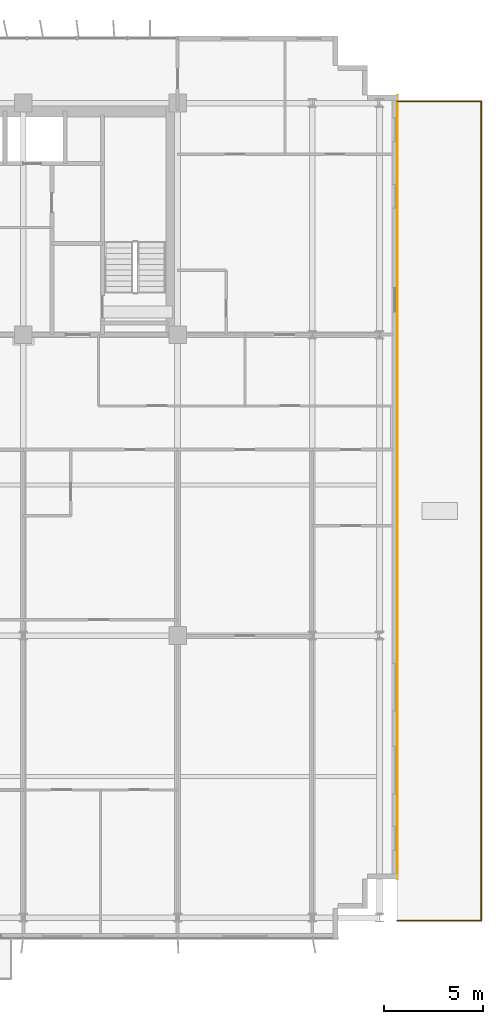
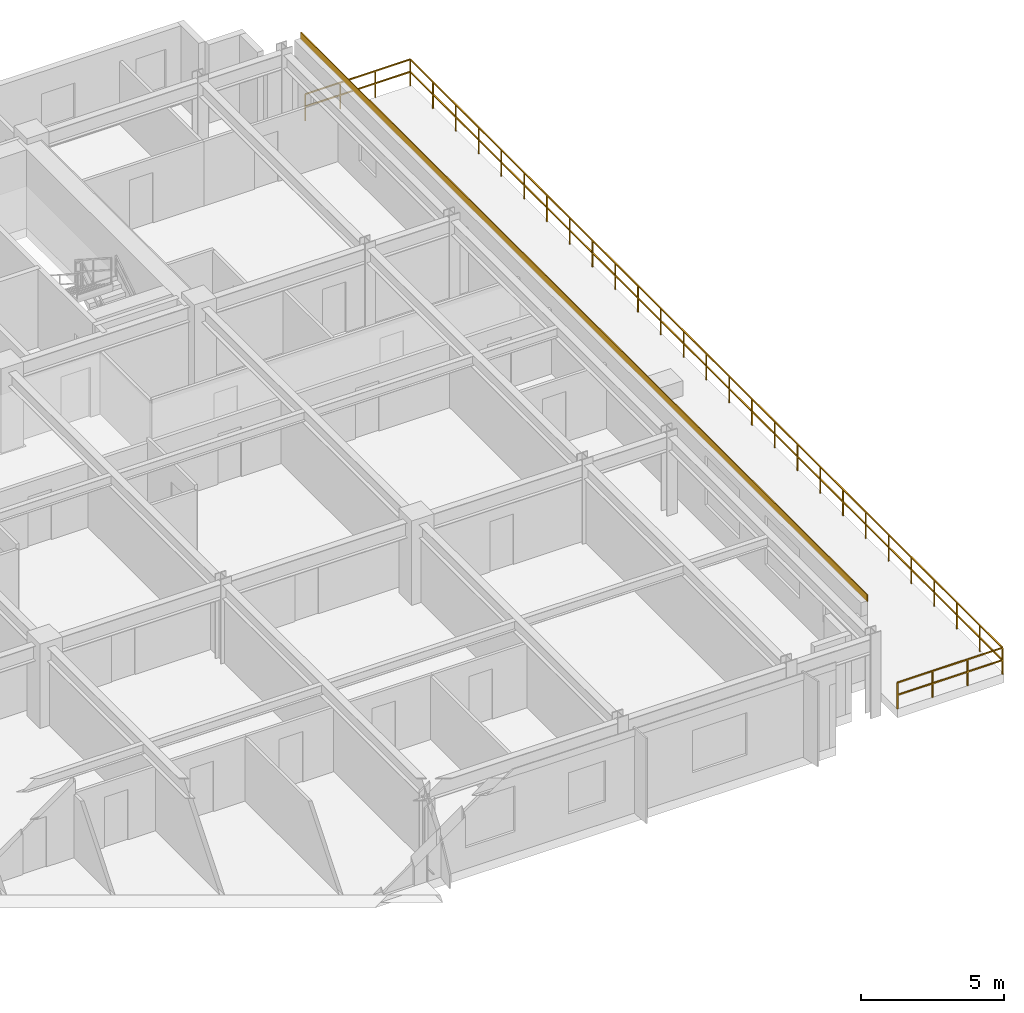
# One storey, part 26 of 26: 3 railings, 1 covering.
"""IFC4 building model written with IfcOpenShell, lengths in metres."""

from ifc_helpers import new_model, si_unit, direction, frame, origin, origin_2d, place, context, subcontext, project, spatial, rectangle, extrude, source, transform, mapped, material, layer, layer_set, type_object, element, save


model = new_model("IFC4")

# Units and contexts
model_context = context("Model", 3, precision=1e-05, world=origin(), true_north=direction((0.0, 1.0)))
body_context = subcontext(model_context, "Body", "Model", "MODEL_VIEW")
ifc_project = project(units=[si_unit("LENGTHUNIT", "METRE"), si_unit("AREAUNIT", "SQUARE_METRE"), si_unit("VOLUMEUNIT", "CUBIC_METRE"), si_unit("PLANEANGLEUNIT", "RADIAN"), si_unit("MASSUNIT", "GRAM", prefix="KILO")], contexts=[model_context])

# Site, building, storey
site_placement = place(None, origin())
site = spatial("IfcSite", under=ifc_project, at=site_placement, CompositionType="ELEMENT")
building_placement = place(site_placement, origin())
building = spatial("IfcBuilding", under=site, at=building_placement, Name="Trelvane Seafront Commons", CompositionType="ELEMENT")
storey_placement = place(building_placement, frame((0.0, 0.0, 23.5)))
storey = spatial("IfcBuildingStorey", under=building, at=storey_placement, Name="L05", CompositionType="ELEMENT", Elevation=23.5)

# Railings
ifc_material_1 = material(Name="Stainless steel balustrade", Category="steel")
railing_type = type_object("IfcRailingType", Name="ARCH-RAIL-BAL1150", PredefinedType="BALUSTRADE", material=ifc_material_1)
railing_1_placement = place(storey_placement, frame((69.89990234375, 3.800048828125, 0.0)))
element("IfcRailing", 1, at=railing_1_placement, inside=storey, type_object=railing_type, Name="RL-L05-TR1-01", PredefinedType="BALUSTRADE", context=body_context, shape_type="SweptSolid", body=[
    extrude(rectangle(XDim=0.048095703125, YDim=0.048095703125, at=origin_2d()), frame((0.0, 0.0, 1.1259765625), z_axis=(1.0, 0.0, 0.0), x_axis=(0.0, 1.0, 0.0)), (0.0, 0.0, 1.0), 4.239990234375),
    extrude(rectangle(XDim=0.048095703125, YDim=0.048095703125, at=origin_2d()), frame((0.0, 0.0, 0.597900390625), z_axis=(1.0, 0.0, 0.0), x_axis=(0.0, 1.0, 0.0)), (0.0, 0.0, 1.0), 4.239990234375),
    extrude(rectangle(XDim=0.0419921875, YDim=0.0419921875, at=origin_2d()), origin(), (0.0, 0.0, 1.0), 1.1259765625),
    extrude(rectangle(XDim=0.0419921875, YDim=0.0419921875, at=origin_2d()), frame((1.413330078125, 0.0, 0.0)), (0.0, 0.0, 1.0), 1.1259765625),
    extrude(rectangle(XDim=0.0419921875, YDim=0.0419921875, at=origin_2d()), frame((2.82666015625, 0.0, 0.0)), (0.0, 0.0, 1.0), 1.1259765625),
    extrude(rectangle(XDim=0.0419921875, YDim=0.0419921875, at=origin_2d()), frame((4.239990234375, 0.0, 0.0)), (0.0, 0.0, 1.0), 1.1259765625),
])
railing_2_placement = place(storey_placement, frame((74.139892578125, 3.800048828125, 0.0)))
element("IfcRailing", 2, at=railing_2_placement, inside=storey, type_object=railing_type, Name="RL-L05-TR1-02", PredefinedType="BALUSTRADE", context=body_context, shape_type="SweptSolid", body=[
    extrude(rectangle(XDim=0.048095703125, YDim=0.048095703125, at=origin_2d()), frame((0.0, 0.0, 1.1259765625), z_axis=(0.0, 1.0, 0.0), x_axis=(-1.0, 0.0, 0.0)), (0.0, 0.0, 1.0), 41.39990234375),
    extrude(rectangle(XDim=0.048095703125, YDim=0.048095703125, at=origin_2d()), frame((0.0, 0.0, 0.597900390625), z_axis=(0.0, 1.0, 0.0), x_axis=(-1.0, 0.0, 0.0)), (0.0, 0.0, 1.0), 41.39990234375),
    extrude(rectangle(XDim=0.0419921875, YDim=0.0419921875, at=origin_2d()), origin(), (0.0, 0.0, 1.0), 1.1259765625),
    extrude(rectangle(XDim=0.0419921875, YDim=0.0419921875, at=origin_2d()), frame((0.0, 1.59228515625, 0.0)), (0.0, 0.0, 1.0), 1.1259765625),
    extrude(rectangle(XDim=0.0419921875, YDim=0.0419921875, at=origin_2d()), frame((0.0, 3.1845703125, 0.0)), (0.0, 0.0, 1.0), 1.1259765625),
    extrude(rectangle(XDim=0.0419921875, YDim=0.0419921875, at=origin_2d()), frame((0.0, 4.77685546875, 0.0)), (0.0, 0.0, 1.0), 1.1259765625),
    extrude(rectangle(XDim=0.0419921875, YDim=0.0419921875, at=origin_2d()), frame((0.0, 6.369140625, 0.0)), (0.0, 0.0, 1.0), 1.1259765625),
    extrude(rectangle(XDim=0.0419921875, YDim=0.0419921875, at=origin_2d()), frame((0.0, 7.96142578125, 0.0)), (0.0, 0.0, 1.0), 1.1259765625),
    extrude(rectangle(XDim=0.0419921875, YDim=0.0419921875, at=origin_2d()), frame((0.0, 9.5537109375, 0.0)), (0.0, 0.0, 1.0), 1.1259765625),
    extrude(rectangle(XDim=0.0419921875, YDim=0.0419921875, at=origin_2d()), frame((0.0, 11.146240234375, 0.0)), (0.0, 0.0, 1.0), 1.1259765625),
    extrude(rectangle(XDim=0.0419921875, YDim=0.0419921875, at=origin_2d()), frame((0.0, 12.738525390625, 0.0)), (0.0, 0.0, 1.0), 1.1259765625),
    extrude(rectangle(XDim=0.0419921875, YDim=0.0419921875, at=origin_2d()), frame((0.0, 14.330810546875, 0.0)), (0.0, 0.0, 1.0), 1.1259765625),
    extrude(rectangle(XDim=0.0419921875, YDim=0.0419921875, at=origin_2d()), frame((0.0, 15.923095703125, 0.0)), (0.0, 0.0, 1.0), 1.1259765625),
    extrude(rectangle(XDim=0.0419921875, YDim=0.0419921875, at=origin_2d()), frame((0.0, 17.515380859375, 0.0)), (0.0, 0.0, 1.0), 1.1259765625),
    extrude(rectangle(XDim=0.0419921875, YDim=0.0419921875, at=origin_2d()), frame((0.0, 19.107666015625, 0.0)), (0.0, 0.0, 1.0), 1.1259765625),
    extrude(rectangle(XDim=0.0419921875, YDim=0.0419921875, at=origin_2d()), frame((0.0, 20.699951171875, 0.0)), (0.0, 0.0, 1.0), 1.1259765625),
    extrude(rectangle(XDim=0.0419921875, YDim=0.0419921875, at=origin_2d()), frame((0.0, 22.292236328125, 0.0)), (0.0, 0.0, 1.0), 1.1259765625),
    extrude(rectangle(XDim=0.0419921875, YDim=0.0419921875, at=origin_2d()), frame((0.0, 23.884521484375, 0.0)), (0.0, 0.0, 1.0), 1.1259765625),
    extrude(rectangle(XDim=0.0419921875, YDim=0.0419921875, at=origin_2d()), frame((0.0, 25.476806640625, 0.0)), (0.0, 0.0, 1.0), 1.1259765625),
    extrude(rectangle(XDim=0.0419921875, YDim=0.0419921875, at=origin_2d()), frame((0.0, 27.069091796875, 0.0)), (0.0, 0.0, 1.0), 1.1259765625),
    extrude(rectangle(XDim=0.0419921875, YDim=0.0419921875, at=origin_2d()), frame((0.0, 28.661376953125, 0.0)), (0.0, 0.0, 1.0), 1.1259765625),
    extrude(rectangle(XDim=0.0419921875, YDim=0.0419921875, at=origin_2d()), frame((0.0, 30.253662109375, 0.0)), (0.0, 0.0, 1.0), 1.1259765625),
    extrude(rectangle(XDim=0.0419921875, YDim=0.0419921875, at=origin_2d()), frame((0.0, 31.84619140625, 0.0)), (0.0, 0.0, 1.0), 1.1259765625),
    extrude(rectangle(XDim=0.0419921875, YDim=0.0419921875, at=origin_2d()), frame((0.0, 33.4384765625, 0.0)), (0.0, 0.0, 1.0), 1.1259765625),
    extrude(rectangle(XDim=0.0419921875, YDim=0.0419921875, at=origin_2d()), frame((0.0, 35.03076171875, 0.0)), (0.0, 0.0, 1.0), 1.1259765625),
    extrude(rectangle(XDim=0.0419921875, YDim=0.0419921875, at=origin_2d()), frame((0.0, 36.623046875, 0.0)), (0.0, 0.0, 1.0), 1.1259765625),
    extrude(rectangle(XDim=0.0419921875, YDim=0.0419921875, at=origin_2d()), frame((0.0, 38.21533203125, 0.0)), (0.0, 0.0, 1.0), 1.1259765625),
    extrude(rectangle(XDim=0.0419921875, YDim=0.0419921875, at=origin_2d()), frame((0.0, 39.8076171875, 0.0)), (0.0, 0.0, 1.0), 1.1259765625),
    extrude(rectangle(XDim=0.0419921875, YDim=0.0419921875, at=origin_2d()), frame((0.0, 41.39990234375, 0.0)), (0.0, 0.0, 1.0), 1.1259765625),
])
railing_3_placement = place(storey_placement, frame((74.139892578125, 45.199951171875, 0.0)))
element("IfcRailing", 3, at=railing_3_placement, inside=storey, type_object=railing_type, Name="RL-L05-TR1-03", PredefinedType="BALUSTRADE", context=body_context, shape_type="SweptSolid", body=[
    extrude(rectangle(XDim=0.048095703125, YDim=0.048095703125, at=origin_2d()), frame((0.0, 0.0, 1.1259765625), z_axis=(-1.0, 0.0, 0.0), x_axis=(0.0, -1.0, 0.0)), (0.0, 0.0, 1.0), 4.239990234375),
    extrude(rectangle(XDim=0.048095703125, YDim=0.048095703125, at=origin_2d()), frame((0.0, 0.0, 0.597900390625), z_axis=(-1.0, 0.0, 0.0), x_axis=(0.0, -1.0, 0.0)), (0.0, 0.0, 1.0), 4.239990234375),
    extrude(rectangle(XDim=0.0419921875, YDim=0.0419921875, at=origin_2d()), origin(), (0.0, 0.0, 1.0), 1.1259765625),
    extrude(rectangle(XDim=0.0419921875, YDim=0.0419921875, at=origin_2d()), frame((-1.413330078125, 0.0, 0.0)), (0.0, 0.0, 1.0), 1.1259765625),
    extrude(rectangle(XDim=0.0419921875, YDim=0.0419921875, at=origin_2d()), frame((-2.82666015625, 0.0, 0.0)), (0.0, 0.0, 1.0), 1.1259765625),
    extrude(rectangle(XDim=0.0419921875, YDim=0.0419921875, at=origin_2d()), frame((-4.239990234375, 0.0, 0.0)), (0.0, 0.0, 1.0), 1.1259765625),
])

# Covering
ifc_material_2 = material(Name="Anodised pale-silver aluminium", Category="aluminium")
ifc_layer = layer(ifc_material_2, 0.034912109375, Name="ARCH-COV-CLAD35")
ifc_layer_set = layer_set([ifc_layer], Name="Anodised pale-silver aluminium")
covering_type = type_object("IfcCoveringType", Name="ARCH-COV-CLAD35", PredefinedType="CLADDING", material=ifc_layer_set)
shared_shape = source(origin(), body_context, "Body", "SweptSolid", [
    extrude(rectangle(XDim=39.60009765625, YDim=0.034912109375, at=origin_2d()), origin(), (0.0, 0.0, 1.0), 0.300048828125),
])
covering_placement = place(storey_placement, frame((69.89990234375, 25.699951171875, 3.2998046875), z_axis=(0.0, 0.0, 1.0), x_axis=(0.0, -1.0, 0.0)))
element("IfcCovering", 4, at=covering_placement, inside=storey, type_object=covering_type, Name="CLD-L05-00040", PredefinedType="CLADDING", context=body_context, shape_type="MappedRepresentation", body=[
    mapped(shared_shape, transform((0.0, 0.0, 0.0), x_axis=(1.0, 0.0, 0.0), y_axis=(0.0, 1.0, 0.0), z_axis=(0.0, 0.0, 1.0), scale=1.0)),
])

save(model, "model.ifc")
